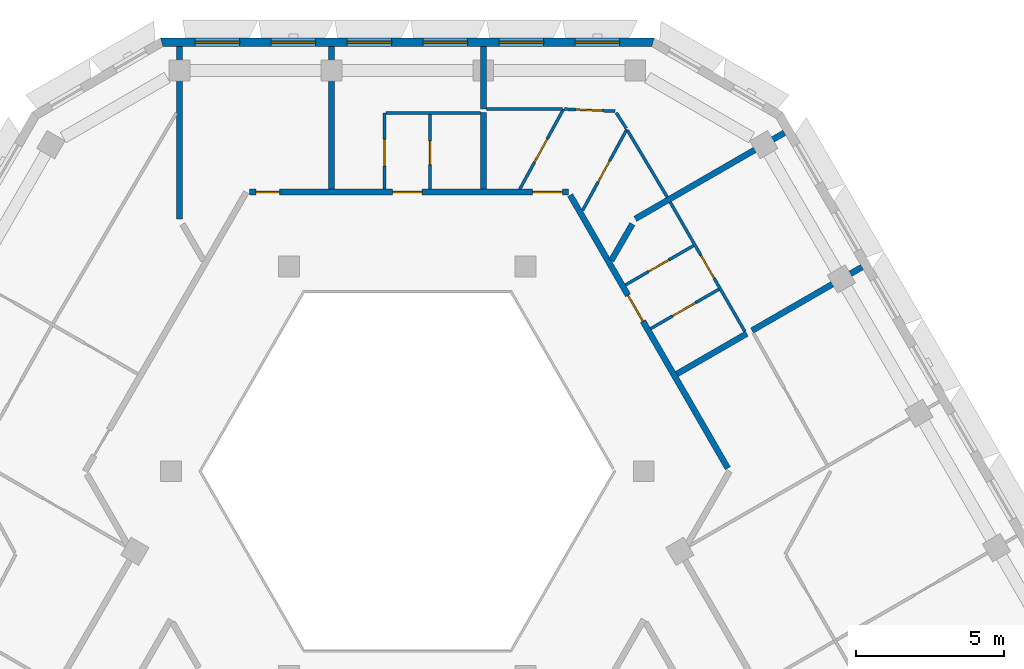
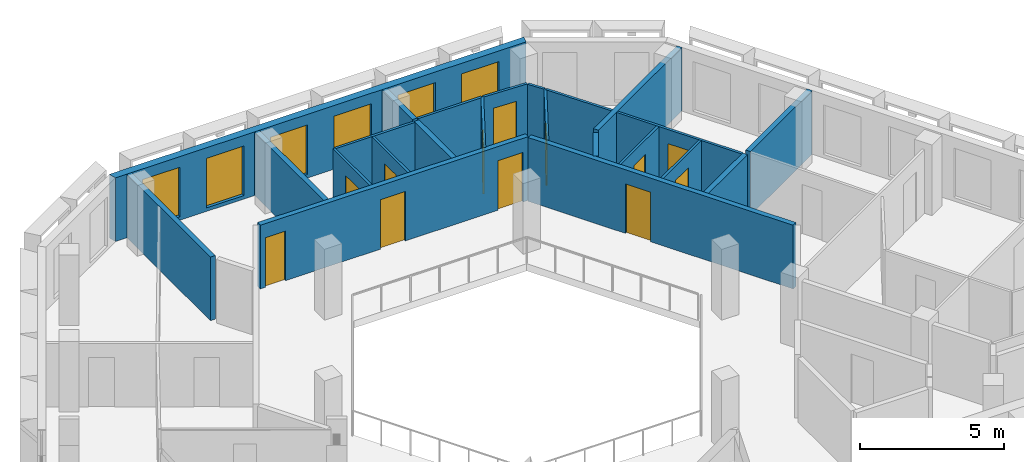
# One storey, part 8 of 16: 23 walls, 12 doors, 6 windows, 18 openings.
"""IFC4 building model written with IfcOpenShell, lengths in metres."""

from ifc_helpers import new_model, si_unit, direction, frame, frame_2d, origin, place, context, subcontext, project, spatial, polyline, rectangle, outline, extrude, material, layer, layer_set, type_object, element, fill, save


model = new_model("IFC4")

# Units and contexts
model_context = context("Model", 3, precision=1e-05, world=origin(), true_north=direction((0.0, 1.0)))
body_context = subcontext(model_context, "Body", "Model", "MODEL_VIEW")
ifc_project = project(units=[si_unit("LENGTHUNIT", "METRE"), si_unit("AREAUNIT", "SQUARE_METRE"), si_unit("VOLUMEUNIT", "CUBIC_METRE"), si_unit("PLANEANGLEUNIT", "RADIAN"), si_unit("MASSUNIT", "GRAM", prefix="KILO")], contexts=[model_context])

# Site, building, storey
site_placement = place(None, origin())
site = spatial("IfcSite", under=ifc_project, at=site_placement, CompositionType="ELEMENT")
building_placement = place(site_placement, origin())
building = spatial("IfcBuilding", under=site, at=building_placement, Name="Beryl Residences", CompositionType="ELEMENT")
storey_placement = place(building_placement, frame((0.0, 0.0, 232.800048828125)))
storey = spatial("IfcBuildingStorey", under=building, at=storey_placement, Name="L72", CompositionType="ELEMENT", Elevation=232.800048828125)

# Wall, openings, windows
ifc_material_1 = material(Name="Composite metal panel with mineral wool insulation")
ifc_layer_1 = layer(ifc_material_1, 0.300048828125)
ifc_layer_set_1 = layer_set([ifc_layer_1], Name="ES1 pale metal composite panel wall 300 mm")
wall_type_1 = type_object("IfcWallType", Name="ES1 pale metal composite panel wall 300 mm", PredefinedType="SOLIDWALL", material=ifc_layer_set_1)
wall_1_placement = place(storey_placement, frame((8.31396484375, 22.449951171875, 0.0), z_axis=(0.0, 0.0, 1.0), x_axis=(-1.0, 0.0, 0.0)))
wall_1 = element("IfcWall", 1, at=wall_1_placement, inside=storey, type_object=wall_type_1, Name="ES1 external wall L72 N", PredefinedType="SOLIDWALL", context=body_context, shape_type="SweptSolid", body=[
    extrude(outline(polyline([(0.0, -0.14990234375), (16.6279296875, -0.14990234375), (16.547607421875, 0.14990234375), (0.080322265625, 0.14990234375), (0.0, -0.14990234375)])), origin(), (0.0, 0.0, 1.0), 2.699951171875),
])
opening_1_placement = place(wall_1_placement, frame((1.1650390625, 0.0, 0.14990234375)))
opening_1 = element("IfcOpeningElement", 2, at=opening_1_placement, cuts=wall_1, Name="Opening W1", PredefinedType="OPENING", context=body_context, shape_type="SweptSolid", body=[
    extrude(rectangle(XDim=1.5, YDim=2.10009765625, at=frame_2d((0.75, 1.050048828125))), frame((0.0, 0.159912109375, 0.0), z_axis=(0.0, -1.0, 0.0), x_axis=(1.0, 0.0, 0.0)), (0.0, 0.0, 1.0), 0.320068359375),
])
opening_2_placement = place(wall_1_placement, frame((3.72412109375, 0.0, 0.14990234375)))
opening_2 = element("IfcOpeningElement", 3, at=opening_2_placement, cuts=wall_1, Name="Opening W1", PredefinedType="OPENING", context=body_context, shape_type="SweptSolid", body=[
    extrude(rectangle(XDim=1.5, YDim=2.10009765625, at=frame_2d((0.75, 1.050048828125))), frame((0.0, 0.159912109375, 0.0), z_axis=(0.0, -1.0, 0.0), x_axis=(1.0, 0.0, 0.0)), (0.0, 0.0, 1.0), 0.320068359375),
])
opening_3_placement = place(wall_1_placement, frame((6.283935546875, 0.0, 0.14990234375)))
opening_3 = element("IfcOpeningElement", 4, at=opening_3_placement, cuts=wall_1, Name="Opening W1", PredefinedType="OPENING", context=body_context, shape_type="SweptSolid", body=[
    extrude(rectangle(XDim=1.5, YDim=2.10009765625, at=frame_2d((0.75, 1.050048828125))), frame((0.0, 0.159912109375, 0.0), z_axis=(0.0, -1.0, 0.0), x_axis=(1.0, 0.0, 0.0)), (0.0, 0.0, 1.0), 0.320068359375),
])
opening_4_placement = place(wall_1_placement, frame((8.843017578125, 0.0, 0.14990234375)))
opening_4 = element("IfcOpeningElement", 5, at=opening_4_placement, cuts=wall_1, Name="Opening W1", PredefinedType="OPENING", context=body_context, shape_type="SweptSolid", body=[
    extrude(rectangle(XDim=1.5, YDim=2.10009765625, at=frame_2d((0.75, 1.050048828125))), frame((0.0, 0.159912109375, 0.0), z_axis=(0.0, -1.0, 0.0), x_axis=(1.0, 0.0, 0.0)), (0.0, 0.0, 1.0), 0.320068359375),
])
opening_5_placement = place(wall_1_placement, frame((11.403076171875, 0.0, 0.14990234375)))
opening_5 = element("IfcOpeningElement", 6, at=opening_5_placement, cuts=wall_1, Name="Opening W1", PredefinedType="OPENING", context=body_context, shape_type="SweptSolid", body=[
    extrude(rectangle(XDim=1.5, YDim=2.10009765625, at=frame_2d((0.75, 1.050048828125))), frame((0.0, 0.159912109375, 0.0), z_axis=(0.0, -1.0, 0.0), x_axis=(1.0, 0.0, 0.0)), (0.0, 0.0, 1.0), 0.320068359375),
])
opening_6_placement = place(wall_1_placement, frame((13.9619140625, 0.0, 0.14990234375)))
opening_6 = element("IfcOpeningElement", 7, at=opening_6_placement, cuts=wall_1, Name="Opening W1", PredefinedType="OPENING", context=body_context, shape_type="SweptSolid", body=[
    extrude(rectangle(XDim=1.5, YDim=2.10009765625, at=frame_2d((0.75, 1.050048828125))), frame((0.0, 0.159912109375, 0.0), z_axis=(0.0, -1.0, 0.0), x_axis=(1.0, 0.0, 0.0)), (0.0, 0.0, 1.0), 0.320068359375),
])
ifc_material_2 = material(Name="Aluminium and clear glass", Category="aluminium")
window_type = type_object("IfcWindowType", Name="W1 cell window 1500 x 2100 mm", PartitioningType="SINGLE_PANEL", PredefinedType="WINDOW", material=ifc_material_2)
window_1_placement = place(opening_1_placement, origin())
window_1 = element("IfcWindow", 8, at=window_1_placement, inside=storey, type_object=window_type, Name="W1 window L72 N 1", OverallHeight=2.10009765625, OverallWidth=1.5, PartitioningType="SINGLE_PANEL", PredefinedType="WINDOW", context=body_context, shape_type="SweptSolid", body=[
    extrude(rectangle(XDim=1.5, YDim=2.10009765625, at=frame_2d((0.75, 1.050048828125))), frame((0.0, 0.030029296875, 0.0), z_axis=(0.0, -1.0, 0.0), x_axis=(1.0, 0.0, 0.0)), (0.0, 0.0, 1.0), 0.06005859375),
])
fill(opening_1, window_1)
window_2_placement = place(opening_2_placement, origin())
window_2 = element("IfcWindow", 9, at=window_2_placement, inside=storey, type_object=window_type, Name="W1 window L72 N 2", OverallHeight=2.10009765625, OverallWidth=1.5, PartitioningType="SINGLE_PANEL", PredefinedType="WINDOW", context=body_context, shape_type="SweptSolid", body=[
    extrude(rectangle(XDim=1.5, YDim=2.10009765625, at=frame_2d((0.75, 1.050048828125))), frame((0.0, 0.030029296875, 0.0), z_axis=(0.0, -1.0, 0.0), x_axis=(1.0, 0.0, 0.0)), (0.0, 0.0, 1.0), 0.06005859375),
])
fill(opening_2, window_2)
window_3_placement = place(opening_3_placement, origin())
window_3 = element("IfcWindow", 10, at=window_3_placement, inside=storey, type_object=window_type, Name="W1 window L72 N 3", OverallHeight=2.10009765625, OverallWidth=1.5, PartitioningType="SINGLE_PANEL", PredefinedType="WINDOW", context=body_context, shape_type="SweptSolid", body=[
    extrude(rectangle(XDim=1.5, YDim=2.10009765625, at=frame_2d((0.75, 1.050048828125))), frame((0.0, 0.030029296875, 0.0), z_axis=(0.0, -1.0, 0.0), x_axis=(1.0, 0.0, 0.0)), (0.0, 0.0, 1.0), 0.06005859375),
])
fill(opening_3, window_3)
window_4_placement = place(opening_4_placement, origin())
window_4 = element("IfcWindow", 11, at=window_4_placement, inside=storey, type_object=window_type, Name="W1 window L72 N 4", OverallHeight=2.10009765625, OverallWidth=1.5, PartitioningType="SINGLE_PANEL", PredefinedType="WINDOW", context=body_context, shape_type="SweptSolid", body=[
    extrude(rectangle(XDim=1.5, YDim=2.10009765625, at=frame_2d((0.75, 1.050048828125))), frame((0.0, 0.030029296875, 0.0), z_axis=(0.0, -1.0, 0.0), x_axis=(1.0, 0.0, 0.0)), (0.0, 0.0, 1.0), 0.06005859375),
])
fill(opening_4, window_4)
window_5_placement = place(opening_5_placement, origin())
window_5 = element("IfcWindow", 12, at=window_5_placement, inside=storey, type_object=window_type, Name="W1 window L72 N 5", OverallHeight=2.10009765625, OverallWidth=1.5, PartitioningType="SINGLE_PANEL", PredefinedType="WINDOW", context=body_context, shape_type="SweptSolid", body=[
    extrude(rectangle(XDim=1.5, YDim=2.10009765625, at=frame_2d((0.75, 1.050048828125))), frame((0.0, 0.030029296875, 0.0), z_axis=(0.0, -1.0, 0.0), x_axis=(1.0, 0.0, 0.0)), (0.0, 0.0, 1.0), 0.06005859375),
])
fill(opening_5, window_5)
window_6_placement = place(opening_6_placement, origin())
window_6 = element("IfcWindow", 13, at=window_6_placement, inside=storey, type_object=window_type, Name="W1 window L72 N 6", OverallHeight=2.10009765625, OverallWidth=1.5, PartitioningType="SINGLE_PANEL", PredefinedType="WINDOW", context=body_context, shape_type="SweptSolid", body=[
    extrude(rectangle(XDim=1.5, YDim=2.10009765625, at=frame_2d((0.75, 1.050048828125))), frame((0.0, 0.030029296875, 0.0), z_axis=(0.0, -1.0, 0.0), x_axis=(1.0, 0.0, 0.0)), (0.0, 0.0, 1.0), 0.06005859375),
])
fill(opening_6, window_6)

# Walls
ifc_material_3 = material(Name="Gypsum board partition on steel studs", Category="steel")
ifc_layer_2 = layer(ifc_material_3, 0.10009765625)
ifc_layer_set_2 = layer_set([ifc_layer_2], Name="PT1 partition 100 mm gypsum board on steel studs")
wall_type_2 = type_object("IfcWallType", Name="PT1 partition 100 mm gypsum board on steel studs", PredefinedType="PARTITIONING", material=ifc_layer_set_2)
wall_2_placement = place(storey_placement, frame((7.034912109375, 20.076904296875, 0.0), z_axis=(0.0, 0.0, 1.0), x_axis=(0.540425167977, -0.841392083286, 0.0)))
element("IfcWall", 14, at=wall_2_placement, inside=storey, type_object=wall_type_2, Name="Wall PT1 L72 003", PredefinedType="PARTITIONING", context=body_context, shape_type="SweptSolid", body=[
    extrude(rectangle(XDim=0.631103515625, YDim=0.10009765625, at=frame_2d((0.3154296875, 0.0))), origin(), (0.0, 0.0, 1.0), 2.699951171875),
])
wall_3_placement = place(storey_placement, frame((7.4140625, 19.48388671875, 0.0), z_axis=(0.0, 0.0, 1.0), x_axis=(0.511734837015, -0.859143443544, 0.0)))
element("IfcWall", 15, at=wall_3_placement, inside=storey, type_object=wall_type_2, Name="Wall PT1 L72 004", PredefinedType="PARTITIONING", context=body_context, shape_type="SweptSolid", body=[
    extrude(rectangle(XDim=2.6162109375, YDim=0.10009765625, at=frame_2d((1.30810546875, 0.0))), origin(), (0.0, 0.0, 1.0), 2.699951171875),
])

# Wall, opening, door
wall_4_placement = place(storey_placement, frame((8.85400390625, 17.06396484375, 0.0), z_axis=(0.0, 0.0, 1.0), x_axis=(0.500042049778, -0.866001124973, 0.0)))
wall_4 = element("IfcWall", 16, at=wall_4_placement, inside=storey, type_object=wall_type_2, Name="Wall PT1 L72 006", PredefinedType="PARTITIONING", context=body_context, shape_type="SweptSolid", body=[
    extrude(rectangle(XDim=5.025390625, YDim=0.10009765625, at=frame_2d((2.5126953125, 0.0))), origin(), (0.0, 0.0, 1.0), 2.699951171875),
])
opening_7_placement = place(wall_4_placement, frame((2.06298828125, 0.0, 0.0)))
opening_7 = element("IfcOpeningElement", 17, at=opening_7_placement, cuts=wall_4, Name="Opening D1916", PredefinedType="OPENING", context=body_context, shape_type="SweptSolid", body=[
    extrude(rectangle(XDim=0.89990234375, YDim=2.10009765625, at=frame_2d((0.449951171875, 1.050048828125))), frame((0.0, 0.06005859375, 0.0), z_axis=(0.0, -1.0, 0.0), x_axis=(1.0, 0.0, 0.0)), (0.0, 0.0, 1.0), 0.1201171875),
])
ifc_material_4 = material(Name="Timber door leaf", Category="wood")
door_type_1 = type_object("IfcDoorType", Name="D2 room door 900 x 2100 mm", OperationType="SINGLE_SWING_LEFT", PredefinedType="DOOR", material=ifc_material_4)
door_1_placement = place(opening_7_placement, origin())
door_1 = element("IfcDoor", 18, at=door_1_placement, inside=storey, type_object=door_type_1, Name="Door D1916 L72 001", OperationType="SINGLE_SWING_RIGHT", OverallHeight=2.10009765625, OverallWidth=0.89990234375, PredefinedType="DOOR", context=body_context, shape_type="SweptSolid", body=[
    extrude(rectangle(XDim=0.89990234375, YDim=2.10009765625, at=frame_2d((0.449951171875, 1.050048828125))), frame((0.0, 0.02490234375, 0.0), z_axis=(0.0, -1.0, 0.0), x_axis=(1.0, 0.0, 0.0)), (0.0, 0.0, 1.0), 0.050048828125),
])
fill(opening_7, door_1)

wall_5_placement = place(storey_placement, frame((5.2939453125, 20.197998046875, 0.0), z_axis=(0.0, 0.0, 1.0), x_axis=(0.999159599203, -0.040988965834, 0.0)))
wall_5 = element("IfcWall", 19, at=wall_5_placement, inside=storey, type_object=wall_type_2, Name="Wall PT1 L72 012", PredefinedType="PARTITIONING", context=body_context, shape_type="SweptSolid", body=[
    extrude(rectangle(XDim=1.70947265625, YDim=0.10009765625, at=frame_2d((0.854736328125, 0.0))), origin(), (0.0, 0.0, 1.0), 2.699951171875),
])
opening_8_placement = place(wall_5_placement, frame((0.376953125, 0.0, 0.0)))
opening_8 = element("IfcOpeningElement", 20, at=opening_8_placement, cuts=wall_5, Name="Opening D1920", PredefinedType="OPENING", context=body_context, shape_type="SweptSolid", body=[
    extrude(rectangle(XDim=0.89990234375, YDim=2.10009765625, at=frame_2d((0.449951171875, 1.050048828125))), frame((0.0, 0.06005859375, 0.0), z_axis=(0.0, -1.0, 0.0), x_axis=(1.0, 0.0, 0.0)), (0.0, 0.0, 1.0), 0.1201171875),
])
door_2_placement = place(opening_8_placement, origin())
door_2 = element("IfcDoor", 21, at=door_2_placement, inside=storey, type_object=door_type_1, Name="Door D1920 L72 001", OperationType="SINGLE_SWING_RIGHT", OverallHeight=2.10009765625, OverallWidth=0.89990234375, PredefinedType="DOOR", context=body_context, shape_type="SweptSolid", body=[
    extrude(rectangle(XDim=0.89990234375, YDim=2.10009765625, at=frame_2d((0.449951171875, 1.050048828125))), frame((0.0, 0.02490234375, 0.0), z_axis=(0.0, -1.0, 0.0), x_axis=(1.0, 0.0, 0.0)), (0.0, 0.0, 1.0), 0.050048828125),
])
fill(opening_8, door_2)

# Walls
wall_6_placement = place(storey_placement, frame((-0.716064453125, 20.06005859375, 0.0), z_axis=(0.0, 0.0, 1.0), x_axis=(1.0, 0.0, 0.0)))
element("IfcWall", 22, at=wall_6_placement, inside=storey, type_object=wall_type_2, Name="Wall PT1 L72 021", PredefinedType="PARTITIONING", context=body_context, shape_type="SweptSolid", body=[
    extrude(rectangle(XDim=3.176025390625, YDim=0.10009765625, at=frame_2d((1.587890625, 0.0))), origin(), (0.0, 0.0, 1.0), 2.699951171875),
])
wall_7_placement = place(storey_placement, frame((2.659912109375, 20.199951171875, 0.0), z_axis=(0.0, 0.0, 1.0), x_axis=(1.0, 0.0, 0.0)))
element("IfcWall", 23, at=wall_7_placement, inside=storey, type_object=wall_type_2, Name="Wall PT1 L72 022", PredefinedType="PARTITIONING", context=body_context, shape_type="SweptSolid", body=[
    extrude(rectangle(XDim=2.564208984375, YDim=0.10009765625, at=frame_2d((1.2822265625, 0.0))), origin(), (0.0, 0.0, 1.0), 2.699951171875),
])

# Wall, opening, door
wall_8_placement = place(storey_placement, frame((3.787109375, 17.5, 0.0), z_axis=(0.0, 0.0, 1.0), x_axis=(0.479146828267, 0.877734764585, 0.0)))
wall_8 = element("IfcWall", 24, at=wall_8_placement, inside=storey, type_object=wall_type_2, Name="Wall PT1 L72 028", PredefinedType="PARTITIONING", context=body_context, shape_type="SweptSolid", body=[
    extrude(rectangle(XDim=3.075927734375, YDim=0.10009765625, at=frame_2d((1.5380859375, 0.0))), origin(), (0.0, 0.0, 1.0), 2.699951171875),
])
opening_9_placement = place(wall_8_placement, frame((1.031005859375, 0.0, 0.0)))
opening_9 = element("IfcOpeningElement", 25, at=opening_9_placement, cuts=wall_8, Name="Opening D1919", PredefinedType="OPENING", context=body_context, shape_type="SweptSolid", body=[
    extrude(rectangle(XDim=0.89990234375, YDim=2.10009765625, at=frame_2d((0.449951171875, 1.050048828125))), frame((0.0, 0.06005859375, 0.0), z_axis=(0.0, -1.0, 0.0), x_axis=(1.0, 0.0, 0.0)), (0.0, 0.0, 1.0), 0.1201171875),
])
door_3_placement = place(opening_9_placement, origin())
door_3 = element("IfcDoor", 26, at=door_3_placement, inside=storey, type_object=door_type_1, Name="Door D1919 L72 001", OperationType="SINGLE_SWING_LEFT", OverallHeight=2.10009765625, OverallWidth=0.89990234375, PredefinedType="DOOR", context=body_context, shape_type="SweptSolid", body=[
    extrude(rectangle(XDim=0.89990234375, YDim=2.10009765625, at=frame_2d((0.449951171875, 1.050048828125))), frame((0.0, 0.02490234375, 0.0), z_axis=(0.0, -1.0, 0.0), x_axis=(1.0, 0.0, 0.0)), (0.0, 0.0, 1.0), 0.050048828125),
])
fill(opening_9, door_3)

wall_9_placement = place(storey_placement, frame((5.90087890625, 16.780029296875, 0.0), z_axis=(0.0, 0.0, 1.0), x_axis=(0.479148317257, 0.877733951759, 0.0)))
wall_9 = element("IfcWall", 27, at=wall_9_placement, inside=storey, type_object=wall_type_2, Name="Wall PT1 L72 029", PredefinedType="PARTITIONING", context=body_context, shape_type="SweptSolid", body=[
    extrude(rectangle(XDim=3.118408203125, YDim=0.10009765625, at=frame_2d((1.55908203125, 0.0))), origin(), (0.0, 0.0, 1.0), 2.699951171875),
])
opening_10_placement = place(wall_9_placement, frame((1.10107421875, 0.0, 0.0)))
opening_10 = element("IfcOpeningElement", 28, at=opening_10_placement, cuts=wall_9, Name="Opening D1918", PredefinedType="OPENING", context=body_context, shape_type="SweptSolid", body=[
    extrude(rectangle(XDim=0.800048828125, YDim=2.10009765625, at=frame_2d((0.39990234375, 1.050048828125))), frame((0.0, 0.06005859375, 0.0), z_axis=(0.0, -1.0, 0.0), x_axis=(1.0, 0.0, 0.0)), (0.0, 0.0, 1.0), 0.1201171875),
])
ifc_material_5 = material(Name="Timber door leaf", Category="wood")
door_type_2 = type_object("IfcDoorType", Name="D3 bathroom door 800 x 2100 mm", OperationType="SINGLE_SWING_LEFT", PredefinedType="DOOR", material=ifc_material_5)
door_4_placement = place(opening_10_placement, origin())
door_4 = element("IfcDoor", 29, at=door_4_placement, inside=storey, type_object=door_type_2, Name="Door D1918 L72 001", OperationType="SINGLE_SWING_RIGHT", OverallHeight=2.10009765625, OverallWidth=0.800048828125, PredefinedType="DOOR", context=body_context, shape_type="SweptSolid", body=[
    extrude(rectangle(XDim=0.800048828125, YDim=2.10009765625, at=frame_2d((0.39990234375, 1.050048828125))), frame((0.0, 0.02490234375, 0.0), z_axis=(0.0, -1.0, 0.0), x_axis=(1.0, 0.0, 0.0)), (0.0, 0.0, 1.0), 0.050048828125),
])
fill(opening_10, door_4)

wall_10_placement = place(storey_placement, frame((0.76806640625, 17.5, 0.0), z_axis=(0.0, 0.0, 1.0), x_axis=(0.0, 1.0, 0.0)))
wall_10 = element("IfcWall", 30, at=wall_10_placement, inside=storey, type_object=wall_type_2, Name="Wall PT1 L72 033", PredefinedType="PARTITIONING", context=body_context, shape_type="SweptSolid", body=[
    extrude(rectangle(XDim=2.510009765625, YDim=0.10009765625, at=frame_2d((1.2548828125, 0.0))), origin(), (0.0, 0.0, 1.0), 2.699951171875),
])
opening_11_placement = place(wall_10_placement, frame((0.830078125, 0.0, 0.0)))
opening_11 = element("IfcOpeningElement", 31, at=opening_11_placement, cuts=wall_10, Name="Opening D1923", PredefinedType="OPENING", context=body_context, shape_type="SweptSolid", body=[
    extrude(rectangle(XDim=0.800048828125, YDim=2.10009765625, at=frame_2d((0.39990234375, 1.050048828125))), frame((0.0, 0.06005859375, 0.0), z_axis=(0.0, -1.0, 0.0), x_axis=(1.0, 0.0, 0.0)), (0.0, 0.0, 1.0), 0.1201171875),
])
door_5_placement = place(opening_11_placement, origin())
door_5 = element("IfcDoor", 32, at=door_5_placement, inside=storey, type_object=door_type_2, Name="Door D1923 L72 001", OperationType="SINGLE_SWING_LEFT", OverallHeight=2.10009765625, OverallWidth=0.800048828125, PredefinedType="DOOR", context=body_context, shape_type="SweptSolid", body=[
    extrude(rectangle(XDim=0.800048828125, YDim=2.10009765625, at=frame_2d((0.39990234375, 1.050048828125))), frame((0.0, 0.02490234375, 0.0), z_axis=(0.0, -1.0, 0.0), x_axis=(1.0, 0.0, 0.0)), (0.0, 0.0, 1.0), 0.050048828125),
])
fill(opening_11, door_5)

wall_11_placement = place(storey_placement, frame((-0.76708984375, 17.5, 0.0), z_axis=(0.0, 0.0, 1.0), x_axis=(0.0, 1.0, 0.0)))
wall_11 = element("IfcWall", 33, at=wall_11_placement, inside=storey, type_object=wall_type_2, Name="Wall PT1 L72 035", PredefinedType="PARTITIONING", context=body_context, shape_type="SweptSolid", body=[
    extrude(rectangle(XDim=2.55908203125, YDim=0.10009765625, at=frame_2d((1.279541015625, 0.0))), origin(), (0.0, 0.0, 1.0), 2.699951171875),
])
opening_12_placement = place(wall_11_placement, frame((0.780029296875, 0.0, 0.0)))
opening_12 = element("IfcOpeningElement", 34, at=opening_12_placement, cuts=wall_11, Name="Opening D1922", PredefinedType="OPENING", context=body_context, shape_type="SweptSolid", body=[
    extrude(rectangle(XDim=0.89990234375, YDim=2.10009765625, at=frame_2d((0.449951171875, 1.050048828125))), frame((0.0, 0.06005859375, 0.0), z_axis=(0.0, -1.0, 0.0), x_axis=(1.0, 0.0, 0.0)), (0.0, 0.0, 1.0), 0.1201171875),
])
door_6_placement = place(opening_12_placement, origin())
door_6 = element("IfcDoor", 35, at=door_6_placement, inside=storey, type_object=door_type_1, Name="Door D1922 L72 001", OperationType="SINGLE_SWING_RIGHT", OverallHeight=2.10009765625, OverallWidth=0.89990234375, PredefinedType="DOOR", context=body_context, shape_type="SweptSolid", body=[
    extrude(rectangle(XDim=0.89990234375, YDim=2.10009765625, at=frame_2d((0.449951171875, 1.050048828125))), frame((0.0, 0.02490234375, 0.0), z_axis=(0.0, -1.0, 0.0), x_axis=(1.0, 0.0, 0.0)), (0.0, 0.0, 1.0), 0.050048828125),
])
fill(opening_12, door_6)

wall_12_placement = place(storey_placement, frame((8.197021484375, 12.802001953125, 0.0), z_axis=(0.0, 0.0, 1.0), x_axis=(0.866029095148, 0.499993606316, 0.0)))
wall_12 = element("IfcWall", 36, at=wall_12_placement, inside=storey, type_object=wall_type_2, Name="Wall PT1 L72 042", PredefinedType="PARTITIONING", context=body_context, shape_type="SweptSolid", body=[
    extrude(rectangle(XDim=2.64990234375, YDim=0.10009765625, at=frame_2d((1.324951171875, 0.0))), origin(), (0.0, 0.0, 1.0), 2.699951171875),
])
opening_13_placement = place(wall_12_placement, frame((0.85009765625, 0.0, 0.0)))
opening_13 = element("IfcOpeningElement", 37, at=opening_13_placement, cuts=wall_12, Name="Opening D1915", PredefinedType="OPENING", context=body_context, shape_type="SweptSolid", body=[
    extrude(rectangle(XDim=0.89990234375, YDim=2.10009765625, at=frame_2d((0.449951171875, 1.050048828125))), frame((0.0, 0.06005859375, 0.0), z_axis=(0.0, -1.0, 0.0), x_axis=(1.0, 0.0, 0.0)), (0.0, 0.0, 1.0), 0.1201171875),
])
door_7_placement = place(opening_13_placement, origin())
door_7 = element("IfcDoor", 38, at=door_7_placement, inside=storey, type_object=door_type_1, Name="Door D1915 L72 001", OperationType="SINGLE_SWING_LEFT", OverallHeight=2.10009765625, OverallWidth=0.89990234375, PredefinedType="DOOR", context=body_context, shape_type="SweptSolid", body=[
    extrude(rectangle(XDim=0.89990234375, YDim=2.10009765625, at=frame_2d((0.449951171875, 1.050048828125))), frame((0.0, 0.02490234375, 0.0), z_axis=(0.0, -1.0, 0.0), x_axis=(1.0, 0.0, 0.0)), (0.0, 0.0, 1.0), 0.050048828125),
])
fill(opening_13, door_7)

wall_13_placement = place(storey_placement, frame((7.346923828125, 14.27392578125, 0.0), z_axis=(0.0, 0.0, 1.0), x_axis=(0.86601223543, 0.500022807565, 0.0)))
wall_13 = element("IfcWall", 39, at=wall_13_placement, inside=storey, type_object=wall_type_2, Name="Wall PT1 L72 043", PredefinedType="PARTITIONING", context=body_context, shape_type="SweptSolid", body=[
    extrude(rectangle(XDim=2.650390625, YDim=0.10009765625, at=frame_2d((1.3251953125, 0.0))), origin(), (0.0, 0.0, 1.0), 2.699951171875),
])
opening_14_placement = place(wall_13_placement, frame((0.89990234375, 0.0, 0.0)))
opening_14 = element("IfcOpeningElement", 40, at=opening_14_placement, cuts=wall_13, Name="Opening D1914", PredefinedType="OPENING", context=body_context, shape_type="SweptSolid", body=[
    extrude(rectangle(XDim=0.800048828125, YDim=2.10009765625, at=frame_2d((0.39990234375, 1.050048828125))), frame((0.0, 0.06005859375, 0.0), z_axis=(0.0, -1.0, 0.0), x_axis=(1.0, 0.0, 0.0)), (0.0, 0.0, 1.0), 0.1201171875),
])
door_8_placement = place(opening_14_placement, origin())
door_8 = element("IfcDoor", 41, at=door_8_placement, inside=storey, type_object=door_type_2, Name="Door D1914 L72 001", OperationType="SINGLE_SWING_RIGHT", OverallHeight=2.10009765625, OverallWidth=0.800048828125, PredefinedType="DOOR", context=body_context, shape_type="SweptSolid", body=[
    extrude(rectangle(XDim=0.800048828125, YDim=2.10009765625, at=frame_2d((0.39990234375, 1.050048828125))), frame((0.0, 0.02490234375, 0.0), z_axis=(0.0, -1.0, 0.0), x_axis=(1.0, 0.0, 0.0)), (0.0, 0.0, 1.0), 0.050048828125),
])
fill(opening_14, door_8)

# Walls
ifc_material_6 = material(Name="Acoustic double stud gypsum board wall")
ifc_layer_3 = layer(ifc_material_6, 0.199951171875)
ifc_layer_set_3 = layer_set([ifc_layer_3], Name="PT3 party wall 200 mm acoustic double stud")
wall_type_3 = type_object("IfcWallType", Name="PT3 party wall 200 mm acoustic double stud", PredefinedType="PARTITIONING", material=ifc_layer_set_3)
wall_14_placement = place(storey_placement, frame((-2.55908203125, 22.300048828125, 0.0), z_axis=(0.0, 0.0, 1.0), x_axis=(0.0, -1.0, 0.0)))
element("IfcWall", 42, at=wall_14_placement, inside=storey, type_object=wall_type_3, Name="Wall PT3 L72 003", PredefinedType="PARTITIONING", context=body_context, shape_type="SweptSolid", body=[
    extrude(rectangle(XDim=4.800048828125, YDim=0.199951171875, at=frame_2d((2.39990234375, 0.0))), origin(), (0.0, 0.0, 1.0), 2.699951171875),
])
wall_15_placement = place(storey_placement, frame((2.56005859375, 20.080078125, 0.0), z_axis=(0.0, 0.0, 1.0), x_axis=(0.0, -1.0, 0.0)))
element("IfcWall", 43, at=wall_15_placement, inside=storey, type_object=wall_type_3, Name="Wall PT3 L72 004", PredefinedType="PARTITIONING", context=body_context, shape_type="SweptSolid", body=[
    extrude(rectangle(XDim=2.580078125, YDim=0.199951171875, at=frame_2d((1.2900390625, 0.0))), origin(), (0.0, 0.0, 1.0), 2.699951171875),
])
wall_16_placement = place(storey_placement, frame((6.87109375, 15.10009765625, 0.0), z_axis=(0.0, 0.0, 1.0), x_axis=(0.50006528296, 0.865987709369, 0.0)))
element("IfcWall", 44, at=wall_16_placement, inside=storey, type_object=wall_type_3, Name="Wall PT3 L72 010", PredefinedType="PARTITIONING", context=body_context, shape_type="SweptSolid", body=[
    extrude(rectangle(XDim=1.417724609375, YDim=0.199951171875, at=frame_2d((0.708984375, 0.0))), origin(), (0.0, 0.0, 1.0), 2.699951171875),
])
wall_17_placement = place(storey_placement, frame((2.56005859375, 20.199951171875, 0.0), z_axis=(0.0, 0.0, 1.0), x_axis=(0.0, 1.0, 0.0)))
element("IfcWall", 45, at=wall_17_placement, inside=storey, type_object=wall_type_3, Name="Wall PT3 L72 011", PredefinedType="PARTITIONING", context=body_context, shape_type="SweptSolid", body=[
    extrude(rectangle(XDim=2.10009765625, YDim=0.199951171875, at=frame_2d((1.050048828125, 0.0))), origin(), (0.0, 0.0, 1.0), 2.699951171875),
])
wall_18_placement = place(storey_placement, frame((-7.677978515625, 16.4990234375, 0.0), z_axis=(0.0, 0.0, 1.0), x_axis=(0.0, 1.0, 0.0)))
element("IfcWall", 46, at=wall_18_placement, inside=storey, type_object=wall_type_3, Name="Wall PT3 L72 012", PredefinedType="PARTITIONING", context=body_context, shape_type="SweptSolid", body=[
    extrude(rectangle(XDim=5.801025390625, YDim=0.199951171875, at=frame_2d((2.900390625, 0.0))), origin(), (0.0, 0.0, 1.0), 2.699951171875),
])
wall_19_placement = place(storey_placement, frame((9.0791015625, 11.27490234375, 0.0), z_axis=(0.0, 0.0, 1.0), x_axis=(0.865952340496, 0.500126527981, 0.0)))
element("IfcWall", 47, at=wall_19_placement, inside=storey, type_object=wall_type_3, Name="Wall PT3 L72 013", PredefinedType="PARTITIONING", context=body_context, shape_type="SweptSolid", body=[
    extrude(rectangle(XDim=2.719482421875, YDim=0.199951171875, at=frame_2d((1.35986328125, 0.0))), origin(), (0.0, 0.0, 1.0), 2.699951171875),
])
wall_20_placement = place(storey_placement, frame((11.611083984375, 12.737060546875, 0.0), z_axis=(0.0, 0.0, 1.0), x_axis=(0.866017282483, 0.500014066243, 0.0)))
element("IfcWall", 48, at=wall_20_placement, inside=storey, type_object=wall_type_3, Name="Wall PT3 L72 014", PredefinedType="PARTITIONING", context=body_context, shape_type="SweptSolid", body=[
    extrude(rectangle(XDim=4.27587890625, YDim=0.199951171875, at=frame_2d((2.137939453125, 0.0))), origin(), (0.0, 0.0, 1.0), 2.699951171875),
])
wall_21_placement = place(storey_placement, frame((7.679931640625, 16.5009765625, 0.0), z_axis=(0.0, 0.0, 1.0), x_axis=(0.86602149507, 0.500006770031, 0.0)))
element("IfcWall", 49, at=wall_21_placement, inside=storey, type_object=wall_type_3, Name="Wall PT3 L72 015", PredefinedType="PARTITIONING", context=body_context, shape_type="SweptSolid", body=[
    extrude(rectangle(XDim=5.7978515625, YDim=0.199951171875, at=frame_2d((2.89892578125, 0.0))), origin(), (0.0, 0.0, 1.0), 2.699951171875),
])

# Wall, opening, door
ifc_material_7 = material(Name="Double stud gypsum board wall")
ifc_layer_4 = layer(ifc_material_7, 0.199951171875)
ifc_layer_set_4 = layer_set([ifc_layer_4], Name="PT4 corridor wall 200 mm double stud")
wall_type_4 = type_object("IfcWallType", Name="PT4 corridor wall 200 mm double stud", PredefinedType="PARTITIONING", material=ifc_layer_set_4)
wall_22_placement = place(storey_placement, frame((5.485107421875, 17.300048828125, 0.0), z_axis=(0.0, 0.0, 1.0), x_axis=(0.499943285704, -0.866058145322, 0.0)))
wall_22 = element("IfcWall", 50, at=wall_22_placement, inside=storey, type_object=wall_type_4, Name="Wall PT4 L72 007", PredefinedType="PARTITIONING", context=body_context, shape_type="SweptSolid", body=[
    extrude(rectangle(XDim=10.622802734375, YDim=0.199951171875, at=frame_2d((5.3115234375, 0.0))), origin(), (0.0, 0.0, 1.0), 2.699951171875),
])
opening_15_placement = place(wall_22_placement, frame((3.90087890625, 0.0, 0.0)))
opening_15 = element("IfcOpeningElement", 51, at=opening_15_placement, cuts=wall_22, Name="Opening D1913", PredefinedType="OPENING", context=body_context, shape_type="SweptSolid", body=[
    extrude(rectangle(XDim=1.0, YDim=2.10009765625, at=frame_2d((0.5, 1.050048828125))), frame((0.0, 0.10986328125, 0.0), z_axis=(0.0, -1.0, 0.0), x_axis=(1.0, 0.0, 0.0)), (0.0, 0.0, 1.0), 0.219970703125),
])
ifc_material_8 = material(Name="Timber door leaf", Category="wood")
door_type_3 = type_object("IfcDoorType", Name="D1 flat entrance door 1000 x 2100 mm", OperationType="SINGLE_SWING_LEFT", PredefinedType="DOOR", material=ifc_material_8)
door_9_placement = place(opening_15_placement, origin())
door_9 = element("IfcDoor", 52, at=door_9_placement, inside=storey, type_object=door_type_3, Name="Door D1913 L72 001", OperationType="SINGLE_SWING_LEFT", OverallHeight=2.10009765625, OverallWidth=1.0, PredefinedType="DOOR", context=body_context, shape_type="SweptSolid", body=[
    extrude(rectangle(XDim=1.0, YDim=2.10009765625, at=frame_2d((0.5, 1.050048828125))), frame((0.0, 0.02490234375, 0.0), z_axis=(0.0, -1.0, 0.0), x_axis=(1.0, 0.0, 0.0)), (0.0, 0.0, 1.0), 0.050048828125),
])
fill(opening_15, door_9)

# Wall, openings, doors
wall_23_placement = place(storey_placement, frame((-5.31201171875, 17.39990234375, 0.0), z_axis=(0.0, 0.0, 1.0), x_axis=(1.0, 0.0, 0.0)))
wall_23 = element("IfcWall", 53, at=wall_23_placement, inside=storey, type_object=wall_type_4, Name="Wall PT4 L72 017", PredefinedType="PARTITIONING", context=body_context, shape_type="SweptSolid", body=[
    extrude(rectangle(XDim=10.739013671875, YDim=0.199951171875, at=frame_2d((5.36962890625, 0.0))), origin(), (0.0, 0.0, 1.0), 2.699951171875),
])
opening_16_placement = place(wall_23_placement, frame((9.533935546875, 0.0, 0.0)))
opening_16 = element("IfcOpeningElement", 54, at=opening_16_placement, cuts=wall_23, Name="Opening D1917", PredefinedType="OPENING", context=body_context, shape_type="SweptSolid", body=[
    extrude(rectangle(XDim=1.0, YDim=2.10009765625, at=frame_2d((0.5, 1.050048828125))), frame((0.0, 0.10986328125, 0.0), z_axis=(0.0, -1.0, 0.0), x_axis=(1.0, 0.0, 0.0)), (0.0, 0.0, 1.0), 0.219970703125),
])
opening_17_placement = place(wall_23_placement, frame((4.81201171875, 0.0, 0.0)))
opening_17 = element("IfcOpeningElement", 55, at=opening_17_placement, cuts=wall_23, Name="Opening D1921", PredefinedType="OPENING", context=body_context, shape_type="SweptSolid", body=[
    extrude(rectangle(XDim=1.0, YDim=2.10009765625, at=frame_2d((0.5, 1.050048828125))), frame((0.0, 0.10986328125, 0.0), z_axis=(0.0, -1.0, 0.0), x_axis=(1.0, 0.0, 0.0)), (0.0, 0.0, 1.0), 0.219970703125),
])
opening_18_placement = place(wall_23_placement, frame((0.2080078125, 0.0, 0.0)))
opening_18 = element("IfcOpeningElement", 56, at=opening_18_placement, cuts=wall_23, Name="Opening D1924", PredefinedType="OPENING", context=body_context, shape_type="SweptSolid", body=[
    extrude(rectangle(XDim=0.800048828125, YDim=2.10009765625, at=frame_2d((0.39990234375, 1.050048828125))), frame((0.0, 0.10986328125, 0.0), z_axis=(0.0, -1.0, 0.0), x_axis=(1.0, 0.0, 0.0)), (0.0, 0.0, 1.0), 0.219970703125),
])
door_10_placement = place(opening_16_placement, origin())
door_10 = element("IfcDoor", 57, at=door_10_placement, inside=storey, type_object=door_type_3, Name="Door D1917 L72 001", OperationType="SINGLE_SWING_LEFT", OverallHeight=2.10009765625, OverallWidth=1.0, PredefinedType="DOOR", context=body_context, shape_type="SweptSolid", body=[
    extrude(rectangle(XDim=1.0, YDim=2.10009765625, at=frame_2d((0.5, 1.050048828125))), frame((0.0, 0.02490234375, 0.0), z_axis=(0.0, -1.0, 0.0), x_axis=(1.0, 0.0, 0.0)), (0.0, 0.0, 1.0), 0.050048828125),
])
fill(opening_16, door_10)
door_11_placement = place(opening_17_placement, origin())
door_11 = element("IfcDoor", 58, at=door_11_placement, inside=storey, type_object=door_type_3, Name="Door D1921 L72 001", OperationType="SINGLE_SWING_LEFT", OverallHeight=2.10009765625, OverallWidth=1.0, PredefinedType="DOOR", context=body_context, shape_type="SweptSolid", body=[
    extrude(rectangle(XDim=1.0, YDim=2.10009765625, at=frame_2d((0.5, 1.050048828125))), frame((0.0, 0.02490234375, 0.0), z_axis=(0.0, -1.0, 0.0), x_axis=(1.0, 0.0, 0.0)), (0.0, 0.0, 1.0), 0.050048828125),
])
fill(opening_17, door_11)
door_12_placement = place(opening_18_placement, origin())
door_12 = element("IfcDoor", 59, at=door_12_placement, inside=storey, type_object=door_type_2, Name="Door D1924 L72 001", OperationType="SINGLE_SWING_RIGHT", OverallHeight=2.10009765625, OverallWidth=0.800048828125, PredefinedType="DOOR", context=body_context, shape_type="SweptSolid", body=[
    extrude(rectangle(XDim=0.800048828125, YDim=2.10009765625, at=frame_2d((0.39990234375, 1.050048828125))), frame((0.0, 0.02490234375, 0.0), z_axis=(0.0, -1.0, 0.0), x_axis=(1.0, 0.0, 0.0)), (0.0, 0.0, 1.0), 0.050048828125),
])
fill(opening_18, door_12)

save(model, "model.ifc")
